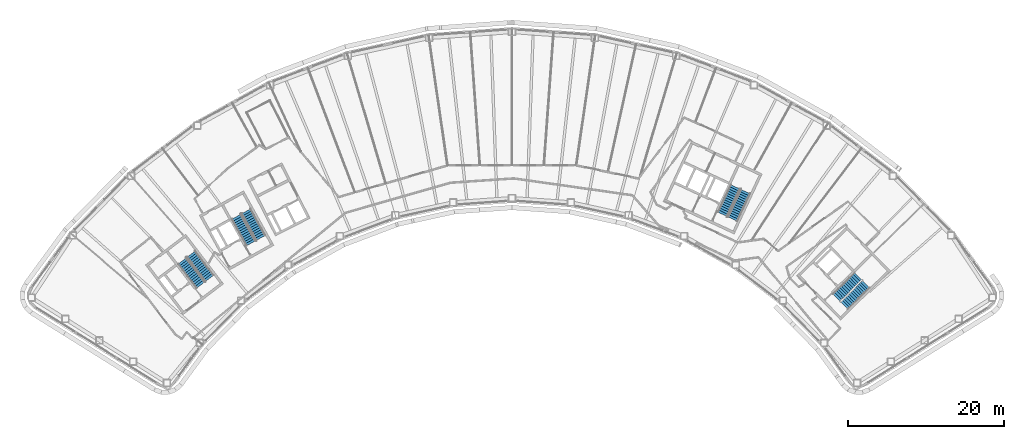
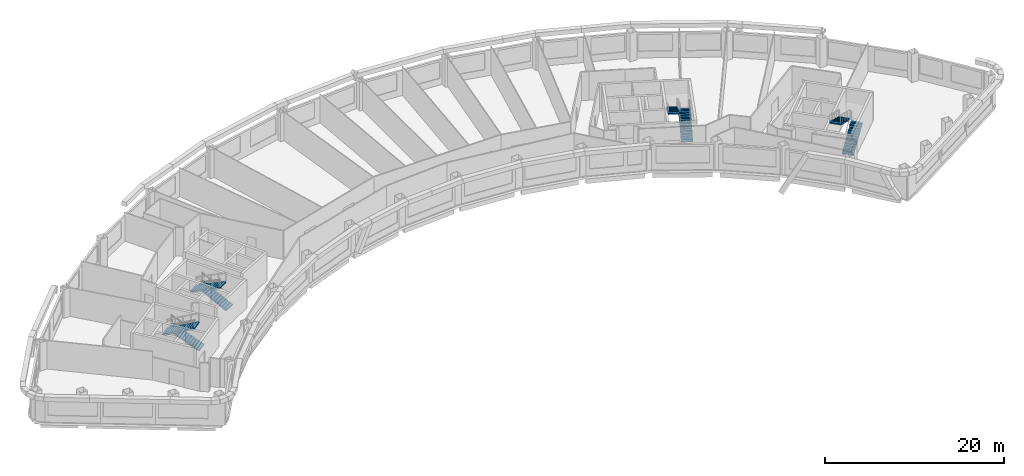
# One storey, part 12 of 14: 8 stair flights, 4 elements without a shape of their own.
"""IFC4 building model written with IfcOpenShell, lengths in metres."""

from ifc_helpers import new_model, si_unit, direction, frame, origin, place, context, subcontext, project, spatial, polyline, outline, extrude, material, type_object, element, aggregate, save


model = new_model("IFC4")

# Units and contexts
model_context = context("Model", 3, precision=1e-05, world=origin(), true_north=direction((0.0, 1.0)))
body_context = subcontext(model_context, "Body", "Model", "MODEL_VIEW")
ifc_project = project(units=[si_unit("LENGTHUNIT", "METRE"), si_unit("AREAUNIT", "SQUARE_METRE"), si_unit("VOLUMEUNIT", "CUBIC_METRE"), si_unit("PLANEANGLEUNIT", "RADIAN"), si_unit("MASSUNIT", "GRAM", prefix="KILO")], contexts=[model_context])

# Site, building, storey
site_placement = place(None, origin())
site = spatial("IfcSite", under=ifc_project, at=site_placement, CompositionType="ELEMENT")
building_placement = place(site_placement, origin())
building = spatial("IfcBuilding", under=site, at=building_placement, Name="Tuul Gate Civic Tower", CompositionType="ELEMENT")
storey_placement = place(building_placement, frame((0.0, 0.0, 213.699951171875)))
storey = spatial("IfcBuildingStorey", under=building, at=storey_placement, Name="Level 48", CompositionType="ELEMENT", Elevation=213.699951171875)

# Stair, stair flights
ifc_material_1 = material(Name="Concrete C40/50", Category="concrete")
stair_type = type_object("IfcStairType", Name="Exit stair", PredefinedType="HALF_TURN_STAIR", material=ifc_material_1)
stair_1_placement = place(storey_placement, origin())
stair_1 = element("IfcStair", 1, at=stair_1_placement, inside=storey, type_object=stair_type, Name="Level 48 ST-1", PredefinedType="HALF_TURN_STAIR")
ifc_material_2 = material(Name="Concrete C40/50", Category="concrete")
stair_flight_type = type_object("IfcStairFlightType", Name="Exit stair flight", PredefinedType="STRAIGHT", material=ifc_material_2)
stair_flight_1_placement = place(storey_placement, frame((-32.875244140625, -13.066650390625, 0.0), z_axis=(0.0, 0.0, 1.0), x_axis=(-0.605764474941, 0.795644016442, 0.0)))
stair_flight_1 = element("IfcStairFlight", 2, at=stair_flight_1_placement, type_object=stair_flight_type, Name="ST-1 flight 1", NumberOfRisers=14, NumberOfTreads=13, PredefinedType="STRAIGHT", RiserHeight=0.15, TreadLength=0.3, context=body_context, shape_type="SweptSolid", body=[
    extrude(outline(polyline([(0.0, 0.0), (0.0, 0.14990234375), (0.300048828125, 0.14990234375), (0.300048828125, 0.300048828125), (0.60009765625, 0.300048828125), (0.60009765625, 0.449951171875), (0.89990234375, 0.449951171875), (0.89990234375, 0.60009765625), (1.199951171875, 0.60009765625), (1.199951171875, 0.75), (1.5, 0.75), (1.5, 0.89990234375), (1.800048828125, 0.89990234375), (1.800048828125, 1.050048828125), (2.10009765625, 1.050048828125), (2.10009765625, 1.199951171875), (2.39990234375, 1.199951171875), (2.39990234375, 1.35009765625), (2.699951171875, 1.35009765625), (2.699951171875, 1.5), (3.0, 1.5), (3.0, 1.64990234375), (3.300048828125, 1.64990234375), (3.300048828125, 1.800048828125), (3.60009765625, 1.800048828125), (3.60009765625, 1.949951171875), (3.89990234375, 1.949951171875), (3.89990234375, 2.10009765625), (3.89990234375, 1.782470703125), (0.335205078125, 0.0), (0.0, 0.0)])), frame((0.0, 0.675048828125, 0.0), z_axis=(0.0, -1.0, 0.0), x_axis=(1.0, 0.0, 0.0)), (0.0, 0.0, 1.0), 1.35009765625),
])
stair_flight_2_placement = place(storey_placement, frame((-36.391357421875, -10.842041015625, 2.10009765625), z_axis=(0.0, 0.0, 1.0), x_axis=(0.605764474941, -0.795644016442, 0.0)))
stair_flight_2 = element("IfcStairFlight", 3, at=stair_flight_2_placement, type_object=stair_flight_type, Name="ST-1 flight 2", NumberOfRisers=14, NumberOfTreads=13, PredefinedType="STRAIGHT", RiserHeight=0.15, TreadLength=0.3, context=body_context, shape_type="SweptSolid", body=[
    extrude(outline(polyline([(0.0, 0.0), (0.0, 0.14990234375), (0.300048828125, 0.14990234375), (0.300048828125, 0.300048828125), (0.60009765625, 0.300048828125), (0.60009765625, 0.449951171875), (0.89990234375, 0.449951171875), (0.89990234375, 0.60009765625), (1.199951171875, 0.60009765625), (1.199951171875, 0.75), (1.5, 0.75), (1.5, 0.89990234375), (1.800048828125, 0.89990234375), (1.800048828125, 1.050048828125), (2.10009765625, 1.050048828125), (2.10009765625, 1.199951171875), (2.39990234375, 1.199951171875), (2.39990234375, 1.35009765625), (2.699951171875, 1.35009765625), (2.699951171875, 1.5), (3.0, 1.5), (3.0, 1.64990234375), (3.300048828125, 1.64990234375), (3.300048828125, 1.800048828125), (3.60009765625, 1.800048828125), (3.60009765625, 1.949951171875), (3.89990234375, 1.949951171875), (3.89990234375, 2.10009765625), (3.89990234375, 1.782470703125), (0.335205078125, 0.0), (0.0, 0.0)])), frame((0.0, 0.675048828125, 0.0), z_axis=(0.0, -1.0, 0.0), x_axis=(1.0, 0.0, 0.0)), (0.0, 0.0, 1.0), 1.35009765625),
])
aggregate(stair_1, [stair_flight_1, stair_flight_2])

stair_2_placement = place(storey_placement, origin())
stair_2 = element("IfcStair", 4, at=stair_2_placement, inside=storey, type_object=stair_type, Name="Level 48 ST-2", PredefinedType="HALF_TURN_STAIR")
stair_flight_3_placement = place(storey_placement, frame((-26.29150390625, -7.87646484375, 0.0), z_axis=(0.0, 0.0, 1.0), x_axis=(-0.484761763766, 0.874646232708, 0.0)))
stair_flight_3 = element("IfcStairFlight", 5, at=stair_flight_3_placement, type_object=stair_flight_type, Name="ST-2 flight 1", NumberOfRisers=14, NumberOfTreads=13, PredefinedType="STRAIGHT", RiserHeight=0.15, TreadLength=0.3, context=body_context, shape_type="SweptSolid", body=[
    extrude(outline(polyline([(0.0, 0.0), (0.0, 0.14990234375), (0.300048828125, 0.14990234375), (0.300048828125, 0.300048828125), (0.60009765625, 0.300048828125), (0.60009765625, 0.449951171875), (0.89990234375, 0.449951171875), (0.89990234375, 0.60009765625), (1.199951171875, 0.60009765625), (1.199951171875, 0.75), (1.5, 0.75), (1.5, 0.89990234375), (1.800048828125, 0.89990234375), (1.800048828125, 1.050048828125), (2.10009765625, 1.050048828125), (2.10009765625, 1.199951171875), (2.39990234375, 1.199951171875), (2.39990234375, 1.35009765625), (2.699951171875, 1.35009765625), (2.699951171875, 1.5), (3.0, 1.5), (3.0, 1.64990234375), (3.300048828125, 1.64990234375), (3.300048828125, 1.800048828125), (3.60009765625, 1.800048828125), (3.60009765625, 1.949951171875), (3.89990234375, 1.949951171875), (3.89990234375, 2.10009765625), (3.89990234375, 1.782470703125), (0.335205078125, 0.0), (0.0, 0.0)])), frame((0.0, 0.675048828125, 0.0), z_axis=(0.0, -1.0, 0.0), x_axis=(1.0, 0.0, 0.0)), (0.0, 0.0, 1.0), 1.35009765625),
])
stair_flight_4_placement = place(storey_placement, frame((-29.450439453125, -5.168212890625, 2.10009765625), z_axis=(0.0, 0.0, 1.0), x_axis=(0.484761763766, -0.874646232708, 0.0)))
stair_flight_4 = element("IfcStairFlight", 6, at=stair_flight_4_placement, type_object=stair_flight_type, Name="ST-2 flight 2", NumberOfRisers=14, NumberOfTreads=13, PredefinedType="STRAIGHT", RiserHeight=0.15, TreadLength=0.3, context=body_context, shape_type="SweptSolid", body=[
    extrude(outline(polyline([(0.0, 0.0), (0.0, 0.14990234375), (0.300048828125, 0.14990234375), (0.300048828125, 0.300048828125), (0.60009765625, 0.300048828125), (0.60009765625, 0.449951171875), (0.89990234375, 0.449951171875), (0.89990234375, 0.60009765625), (1.199951171875, 0.60009765625), (1.199951171875, 0.75), (1.5, 0.75), (1.5, 0.89990234375), (1.800048828125, 0.89990234375), (1.800048828125, 1.050048828125), (2.10009765625, 1.050048828125), (2.10009765625, 1.199951171875), (2.39990234375, 1.199951171875), (2.39990234375, 1.35009765625), (2.699951171875, 1.35009765625), (2.699951171875, 1.5), (3.0, 1.5), (3.0, 1.64990234375), (3.300048828125, 1.64990234375), (3.300048828125, 1.800048828125), (3.60009765625, 1.800048828125), (3.60009765625, 1.949951171875), (3.89990234375, 1.949951171875), (3.89990234375, 2.10009765625), (3.89990234375, 1.782470703125), (0.335205078125, 0.0), (0.0, 0.0)])), frame((0.0, 0.675048828125, 0.0), z_axis=(0.0, -1.0, 0.0), x_axis=(1.0, 0.0, 0.0)), (0.0, 0.0, 1.0), 1.35009765625),
])
aggregate(stair_2, [stair_flight_3, stair_flight_4])

stair_3_placement = place(storey_placement, origin())
stair_3 = element("IfcStair", 7, at=stair_3_placement, inside=storey, type_object=stair_type, Name="Level 48 ST-3", PredefinedType="HALF_TURN_STAIR")
stair_flight_5_placement = place(storey_placement, frame((48.61376953125, -16.581787109375, 0.0), z_axis=(0.0, 0.0, 1.0), x_axis=(0.714127290059, 0.700015866672, 0.0)))
stair_flight_5 = element("IfcStairFlight", 8, at=stair_flight_5_placement, type_object=stair_flight_type, Name="ST-3 flight 1", NumberOfRisers=14, NumberOfTreads=13, PredefinedType="STRAIGHT", RiserHeight=0.15, TreadLength=0.3, context=body_context, shape_type="SweptSolid", body=[
    extrude(outline(polyline([(0.0, 0.0), (0.0, 0.14990234375), (0.300048828125, 0.14990234375), (0.300048828125, 0.300048828125), (0.60009765625, 0.300048828125), (0.60009765625, 0.449951171875), (0.89990234375, 0.449951171875), (0.89990234375, 0.60009765625), (1.199951171875, 0.60009765625), (1.199951171875, 0.75), (1.5, 0.75), (1.5, 0.89990234375), (1.800048828125, 0.89990234375), (1.800048828125, 1.050048828125), (2.10009765625, 1.050048828125), (2.10009765625, 1.199951171875), (2.39990234375, 1.199951171875), (2.39990234375, 1.35009765625), (2.699951171875, 1.35009765625), (2.699951171875, 1.5), (3.0, 1.5), (3.0, 1.64990234375), (3.300048828125, 1.64990234375), (3.300048828125, 1.800048828125), (3.60009765625, 1.800048828125), (3.60009765625, 1.949951171875), (3.89990234375, 1.949951171875), (3.89990234375, 2.10009765625), (3.89990234375, 1.782470703125), (0.335205078125, 0.0), (0.0, 0.0)])), frame((0.0, 0.675048828125, 0.0), z_axis=(0.0, -1.0, 0.0), x_axis=(1.0, 0.0, 0.0)), (0.0, 0.0, 1.0), 1.35009765625),
])
stair_flight_6_placement = place(storey_placement, frame((50.3837890625, -12.816162109375, 2.10009765625), z_axis=(0.0, 0.0, 1.0), x_axis=(-0.714127290059, -0.700015866672, 0.0)))
stair_flight_6 = element("IfcStairFlight", 9, at=stair_flight_6_placement, type_object=stair_flight_type, Name="ST-3 flight 2", NumberOfRisers=14, NumberOfTreads=13, PredefinedType="STRAIGHT", RiserHeight=0.15, TreadLength=0.3, context=body_context, shape_type="SweptSolid", body=[
    extrude(outline(polyline([(0.0, 0.0), (0.0, 0.14990234375), (0.300048828125, 0.14990234375), (0.300048828125, 0.300048828125), (0.60009765625, 0.300048828125), (0.60009765625, 0.449951171875), (0.89990234375, 0.449951171875), (0.89990234375, 0.60009765625), (1.199951171875, 0.60009765625), (1.199951171875, 0.75), (1.5, 0.75), (1.5, 0.89990234375), (1.800048828125, 0.89990234375), (1.800048828125, 1.050048828125), (2.10009765625, 1.050048828125), (2.10009765625, 1.199951171875), (2.39990234375, 1.199951171875), (2.39990234375, 1.35009765625), (2.699951171875, 1.35009765625), (2.699951171875, 1.5), (3.0, 1.5), (3.0, 1.64990234375), (3.300048828125, 1.64990234375), (3.300048828125, 1.800048828125), (3.60009765625, 1.800048828125), (3.60009765625, 1.949951171875), (3.89990234375, 1.949951171875), (3.89990234375, 2.10009765625), (3.89990234375, 1.782470703125), (0.335205078125, 0.0), (0.0, 0.0)])), frame((0.0, 0.675048828125, 0.0), z_axis=(0.0, -1.0, 0.0), x_axis=(1.0, 0.0, 0.0)), (0.0, 0.0, 1.0), 1.35009765625),
])
aggregate(stair_3, [stair_flight_5, stair_flight_6])

stair_4_placement = place(storey_placement, origin())
stair_4 = element("IfcStair", 10, at=stair_4_placement, inside=storey, type_object=stair_type, Name="Level 48 ST-4", PredefinedType="HALF_TURN_STAIR")
stair_flight_7_placement = place(storey_placement, frame((34.278564453125, -5.478515625, 0.0), z_axis=(0.0, 0.0, 1.0), x_axis=(0.422576295988, 0.906327354806, 0.0)))
stair_flight_7 = element("IfcStairFlight", 11, at=stair_flight_7_placement, type_object=stair_flight_type, Name="ST-4 flight 1", NumberOfRisers=14, NumberOfTreads=13, PredefinedType="STRAIGHT", RiserHeight=0.15, TreadLength=0.3, context=body_context, shape_type="SweptSolid", body=[
    extrude(outline(polyline([(0.0, 0.0), (0.0, 0.14990234375), (0.300048828125, 0.14990234375), (0.300048828125, 0.300048828125), (0.60009765625, 0.300048828125), (0.60009765625, 0.449951171875), (0.89990234375, 0.449951171875), (0.89990234375, 0.60009765625), (1.199951171875, 0.60009765625), (1.199951171875, 0.75), (1.5, 0.75), (1.5, 0.89990234375), (1.800048828125, 0.89990234375), (1.800048828125, 1.050048828125), (2.10009765625, 1.050048828125), (2.10009765625, 1.199951171875), (2.39990234375, 1.199951171875), (2.39990234375, 1.35009765625), (2.699951171875, 1.35009765625), (2.699951171875, 1.5), (3.0, 1.5), (3.0, 1.64990234375), (3.300048828125, 1.64990234375), (3.300048828125, 1.800048828125), (3.60009765625, 1.800048828125), (3.60009765625, 1.949951171875), (3.89990234375, 1.949951171875), (3.89990234375, 2.10009765625), (3.89990234375, 1.782470703125), (0.335205078125, 0.0), (0.0, 0.0)])), frame((0.0, 0.675048828125, 0.0), z_axis=(0.0, -1.0, 0.0), x_axis=(1.0, 0.0, 0.0)), (0.0, 0.0, 1.0), 1.35009765625),
])
stair_flight_8_placement = place(storey_placement, frame((34.612548828125, -1.3310546875, 2.10009765625), z_axis=(0.0, 0.0, 1.0), x_axis=(-0.422576295988, -0.906327354806, 0.0)))
stair_flight_8 = element("IfcStairFlight", 12, at=stair_flight_8_placement, type_object=stair_flight_type, Name="ST-4 flight 2", NumberOfRisers=14, NumberOfTreads=13, PredefinedType="STRAIGHT", RiserHeight=0.15, TreadLength=0.3, context=body_context, shape_type="SweptSolid", body=[
    extrude(outline(polyline([(0.0, 0.0), (0.0, 0.14990234375), (0.300048828125, 0.14990234375), (0.300048828125, 0.300048828125), (0.60009765625, 0.300048828125), (0.60009765625, 0.449951171875), (0.89990234375, 0.449951171875), (0.89990234375, 0.60009765625), (1.199951171875, 0.60009765625), (1.199951171875, 0.75), (1.5, 0.75), (1.5, 0.89990234375), (1.800048828125, 0.89990234375), (1.800048828125, 1.050048828125), (2.10009765625, 1.050048828125), (2.10009765625, 1.199951171875), (2.39990234375, 1.199951171875), (2.39990234375, 1.35009765625), (2.699951171875, 1.35009765625), (2.699951171875, 1.5), (3.0, 1.5), (3.0, 1.64990234375), (3.300048828125, 1.64990234375), (3.300048828125, 1.800048828125), (3.60009765625, 1.800048828125), (3.60009765625, 1.949951171875), (3.89990234375, 1.949951171875), (3.89990234375, 2.10009765625), (3.89990234375, 1.782470703125), (0.335205078125, 0.0), (0.0, 0.0)])), frame((0.0, 0.675048828125, 0.0), z_axis=(0.0, -1.0, 0.0), x_axis=(1.0, 0.0, 0.0)), (0.0, 0.0, 1.0), 1.35009765625),
])
aggregate(stair_4, [stair_flight_7, stair_flight_8])

save(model, "model.ifc")
